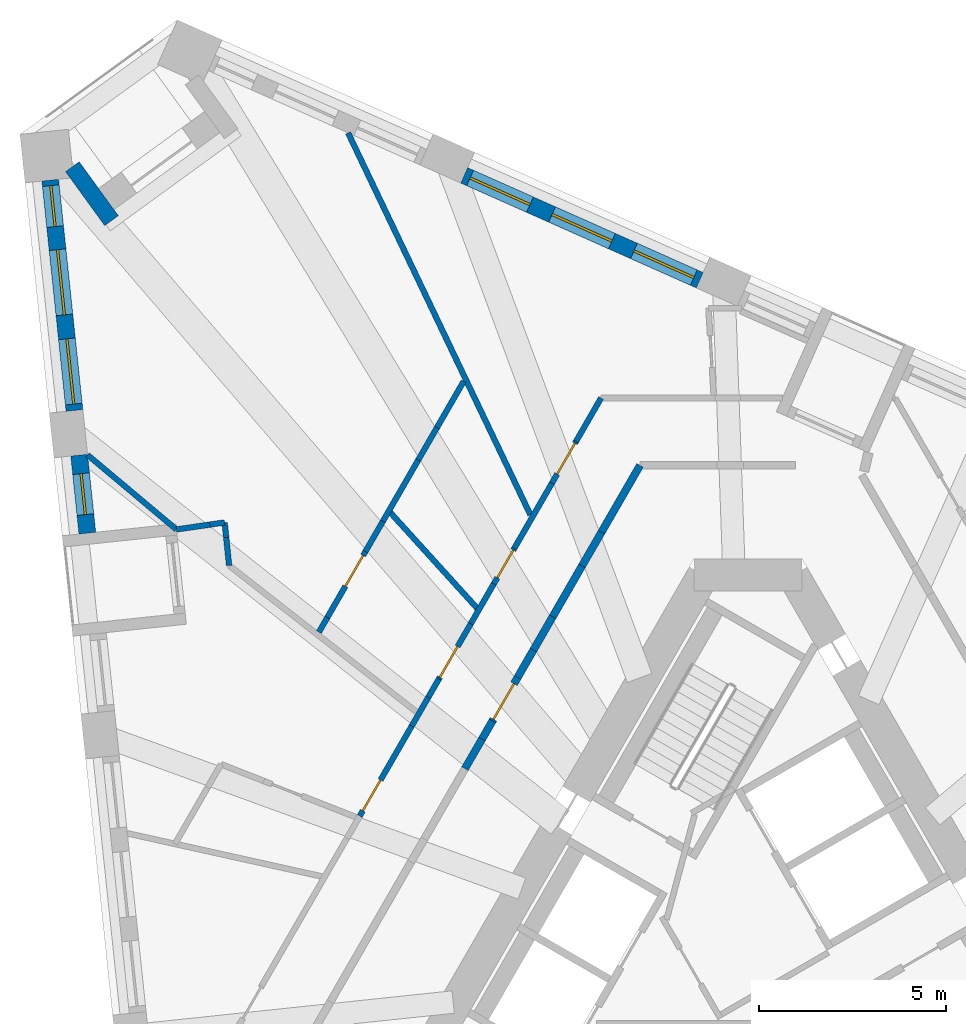
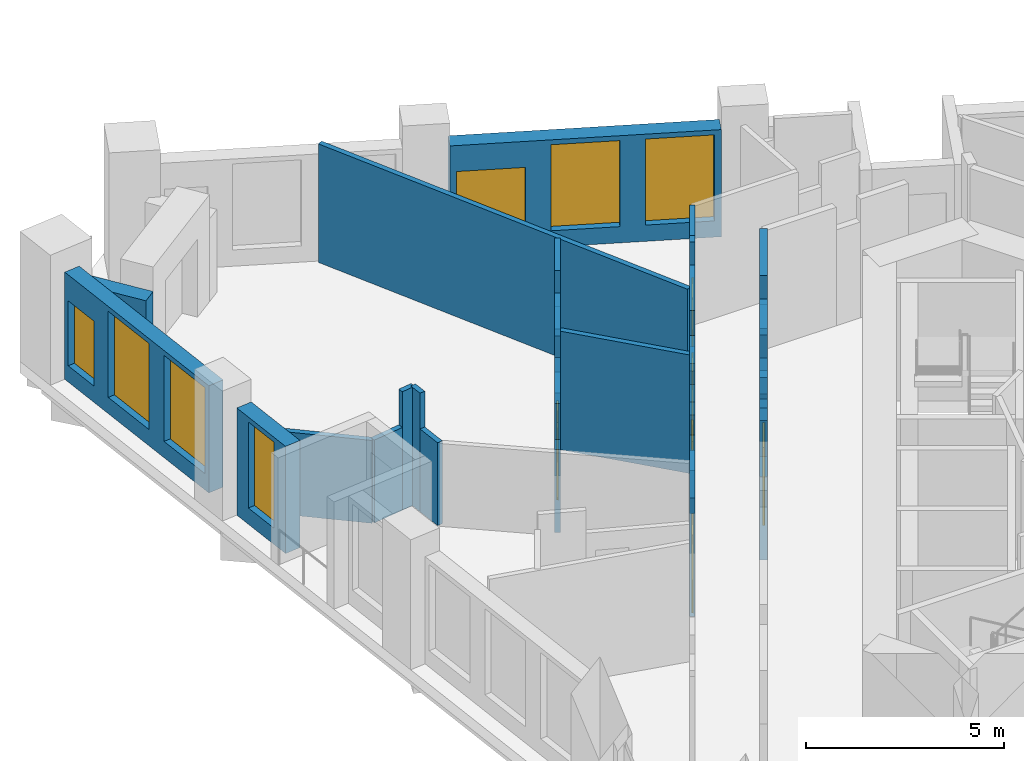
# One storey, part 7 of 14: 34 walls, 7 windows, 6 doors, 13 openings.
"""IFC4 building model written with IfcOpenShell, lengths in metres."""

from ifc_helpers import new_model, si_unit, direction, frame, frame_2d, origin, place, context, subcontext, project, spatial, polyline, rectangle, outline, extrude, material, layer, layer_set, type_object, element, fill, save


model = new_model("IFC4")

# Units and contexts
model_context = context("Model", 3, precision=1e-05, world=origin(), true_north=direction((0.0, 1.0)))
body_context = subcontext(model_context, "Body", "Model", "MODEL_VIEW")
ifc_project = project(units=[si_unit("LENGTHUNIT", "METRE"), si_unit("AREAUNIT", "SQUARE_METRE"), si_unit("VOLUMEUNIT", "CUBIC_METRE"), si_unit("PLANEANGLEUNIT", "RADIAN"), si_unit("MASSUNIT", "GRAM", prefix="KILO")], contexts=[model_context])

# Site, building, storey
site_placement = place(None, origin())
site = spatial("IfcSite", under=ifc_project, at=site_placement, CompositionType="ELEMENT")
building_placement = place(site_placement, origin())
building = spatial("IfcBuilding", under=site, at=building_placement, Name="Tramontana Tower", CompositionType="ELEMENT")
storey_placement = place(building_placement, frame((0.0, 0.0, 178.800048828125)))
storey = spatial("IfcBuildingStorey", under=building, at=storey_placement, Name="L41", CompositionType="ELEMENT", Elevation=178.800048828125)

# Walls
ifc_material_1 = material(Name="Blockwork", Category="masonry")
ifc_layer_1 = layer(ifc_material_1, 0.199951171875)
ifc_layer_set_1 = layer_set([ifc_layer_1], Name="ENTRY WALL 200")
wall_type_1 = type_object("IfcWallType", Name="ENTRY WALL 200", PredefinedType="SOLIDWALL", material=ifc_layer_set_1)
wall_1_placement = place(storey_placement, frame((-7.561279296875, 5.403564453125, 0.0), z_axis=(0.0, 0.0, 1.0), x_axis=(0.499977996243, 0.866038107287, 0.0)))
element("IfcWall", 1, at=wall_1_placement, inside=storey, type_object=wall_type_1, Name="Wall v41-ew4-5", PredefinedType="SOLIDWALL", context=body_context, shape_type="SweptSolid", body=[
    extrude(rectangle(XDim=0.90966796875, YDim=0.199951171875, at=frame_2d((0.454833984375, 0.0))), origin(), (0.0, 0.0, 1.0), 2.550048828125),
])
wall_2_placement = place(storey_placement, frame((-7.1064453125, 6.19140625, 0.0), z_axis=(0.0, 0.0, 1.0), x_axis=(0.499986818241, 0.866033014143, 0.0)))
element("IfcWall", 2, at=wall_2_placement, inside=storey, type_object=wall_type_1, Name="Wall v41-ew4-6", PredefinedType="SOLIDWALL", context=body_context, shape_type="SweptSolid", body=[
    extrude(rectangle(XDim=0.5595703125, YDim=0.199951171875, at=frame_2d((0.27978515625, 0.0))), origin(), (0.0, 0.0, 1.0), 3.64990234375),
])

# Wall, opening, door
wall_3_placement = place(storey_placement, frame((-6.82666015625, 6.676025390625, 0.0), z_axis=(0.0, 0.0, 1.0), x_axis=(0.500062873969, 0.865989100438, 0.0)))
wall_3 = element("IfcWall", 3, at=wall_3_placement, inside=storey, type_object=wall_type_1, Name="Wall v41-ew4-7", PredefinedType="SOLIDWALL", context=body_context, shape_type="SweptSolid", body=[
    extrude(outline(polyline([(0.0, 0.0), (1.344970703125, 0.0), (1.344970703125, 2.550048828125), (0.391357421875, 2.550048828125), (0.391357421875, 3.64990234375), (0.0, 3.64990234375), (0.0, 0.0)])), frame((0.0, 0.10009765625, 0.0), z_axis=(0.0, -1.0, 0.0), x_axis=(1.0, 0.0, 0.0)), (0.0, 0.0, 1.0), 0.199951171875),
])
opening_1_placement = place(wall_3_placement, frame((0.050048828125, 0.0, 0.0)))
opening_1 = element("IfcOpeningElement", 4, at=opening_1_placement, cuts=wall_3, Name="Opening B4B-24", PredefinedType="OPENING", context=body_context, shape_type="SweptSolid", body=[
    extrude(rectangle(XDim=1.10009765625, YDim=2.39990234375, at=frame_2d((0.550048828125, 1.199951171875))), frame((0.0, 0.10986328125, 0.0), z_axis=(0.0, -1.0, 0.0), x_axis=(1.0, 0.0, 0.0)), (0.0, 0.0, 1.0), 0.219970703125),
])
ifc_material_2 = material(Name="Painted timber", Category="wood")
door_type_1 = type_object("IfcDoorType", Name="DOOR ENTRY 1100", OperationType="SINGLE_SWING_LEFT", PredefinedType="DOOR", material=ifc_material_2)
door_1_placement = place(opening_1_placement, origin())
door_1 = element("IfcDoor", 5, at=door_1_placement, inside=storey, type_object=door_type_1, Name="Door B4B-24", OperationType="SINGLE_SWING_RIGHT", OverallHeight=2.39990234375, OverallWidth=1.10009765625, PredefinedType="DOOR", context=body_context, shape_type="SweptSolid", body=[
    extrude(rectangle(XDim=1.10009765625, YDim=2.39990234375, at=frame_2d((0.550048828125, 1.199951171875))), frame((0.0, 0.02490234375, 0.0), z_axis=(0.0, -1.0, 0.0), x_axis=(1.0, 0.0, 0.0)), (0.0, 0.0, 1.0), 0.050048828125),
])
fill(opening_1, door_1)

# Walls
wall_4_placement = place(storey_placement, frame((-6.154052734375, 7.8408203125, 0.0), z_axis=(0.0, 0.0, 1.0), x_axis=(0.499822960955, 0.8661275932, 0.0)))
element("IfcWall", 6, at=wall_4_placement, inside=storey, type_object=wall_type_1, Name="Wall v41-ew4-8", PredefinedType="SOLIDWALL", context=body_context, shape_type="SweptSolid", body=[
    extrude(rectangle(XDim=0.841064453125, YDim=0.199951171875, at=frame_2d((0.42041015625, 0.0))), origin(), (0.0, 0.0, 1.0), 3.64990234375),
])
wall_5_placement = place(storey_placement, frame((-5.733642578125, 8.5693359375, 0.0), z_axis=(0.0, 0.0, 1.0), x_axis=(0.500079402778, 0.865979555715, 0.0)))
element("IfcWall", 7, at=wall_5_placement, inside=storey, type_object=wall_type_1, Name="Wall v41-ew4-9", PredefinedType="SOLIDWALL", context=body_context, shape_type="SweptSolid", body=[
    extrude(rectangle(XDim=1.026123046875, YDim=0.199951171875, at=frame_2d((0.51318359375, 0.0))), origin(), (0.0, 0.0, 1.0), 2.550048828125),
])
wall_6_placement = place(storey_placement, frame((-5.220458984375, 9.4580078125, 0.0), z_axis=(0.0, 0.0, 1.0), x_axis=(0.500031717574, 0.86600709086, 0.0)))
element("IfcWall", 8, at=wall_6_placement, inside=storey, type_object=wall_type_1, Name="Wall v41-ew4-10", PredefinedType="SOLIDWALL", context=body_context, shape_type="SweptSolid", body=[
    extrude(rectangle(XDim=1.57177734375, YDim=0.199951171875, at=frame_2d((0.785888671875, 0.0))), origin(), (0.0, 0.0, 1.0), 3.64990234375),
])
wall_7_placement = place(storey_placement, frame((-4.4345703125, 10.819091796875, 0.0), z_axis=(0.0, 0.0, 1.0), x_axis=(0.500054530113, 0.86599391852, 0.0)))
element("IfcWall", 9, at=wall_7_placement, inside=storey, type_object=wall_type_1, Name="Wall v41-ew4-11", PredefinedType="SOLIDWALL", context=body_context, shape_type="SweptSolid", body=[
    extrude(rectangle(XDim=1.03955078125, YDim=0.199951171875, at=frame_2d((0.519775390625, 0.0))), origin(), (0.0, 0.0, 1.0), 2.75),
])
wall_8_placement = place(storey_placement, frame((-3.914794921875, 11.71923828125, 0.0), z_axis=(0.0, 0.0, 1.0), x_axis=(0.499982825521, 0.866035319247, 0.0)))
element("IfcWall", 10, at=wall_8_placement, inside=storey, type_object=wall_type_1, Name="Wall v41-ew4-12", PredefinedType="SOLIDWALL", context=body_context, shape_type="SweptSolid", body=[
    extrude(rectangle(XDim=2.05615234375, YDim=0.199951171875, at=frame_2d((1.028076171875, 0.0))), origin(), (0.0, 0.0, 1.0), 3.64990234375),
])

# Wall, openings, windows
ifc_material_3 = material(Name="Precast concrete 60 MPa", Category="concrete")
ifc_layer_2 = layer(ifc_material_3, 0.449951171875)
ifc_layer_set_2 = layer_set([ifc_layer_2], Name="Precast concrete 60 MPa, 450 mm")
wall_type_2 = type_object("IfcWallType", Name="EW1 Stone-faced precast wall 450", PredefinedType="SOLIDWALL", material=ifc_layer_set_2)
wall_9_placement = place(storey_placement, frame((-18.63427734375, 21.116455078125, 0.0), z_axis=(0.0, 0.0, 1.0), x_axis=(0.104522399115, -0.994522532718, 0.0)))
wall_9 = element("IfcWall", 11, at=wall_9_placement, inside=storey, type_object=wall_type_2, Name="External wall L41 face 0 bay 1", PredefinedType="SOLIDWALL", context=body_context, shape_type="SweptSolid", body=[
    extrude(rectangle(XDim=6.182861328125, YDim=0.449951171875, at=frame_2d((3.09130859375, 0.0))), origin(), (0.0, 0.0, 1.0), 3.300048828125),
])
opening_2_placement = place(wall_9_placement, frame((0.147216796875, 0.0, 0.5)))
opening_2 = element("IfcOpeningElement", 12, at=opening_2_placement, cuts=wall_9, Name="Opening N2L", PredefinedType="OPENING", context=body_context, shape_type="SweptSolid", body=[
    extrude(rectangle(XDim=1.10009765625, YDim=2.0, at=frame_2d((0.550048828125, 1.0))), frame((0.0, 0.23486328125, 0.0), z_axis=(0.0, -1.0, 0.0), x_axis=(1.0, 0.0, 0.0)), (0.0, 0.0, 1.0), 0.469970703125),
])
opening_3_placement = place(wall_9_placement, frame((1.866455078125, 0.0, 0.5)))
opening_3 = element("IfcOpeningElement", 13, at=opening_3_placement, cuts=wall_9, Name="Opening M2", PredefinedType="OPENING", context=body_context, shape_type="SweptSolid", body=[
    extrude(rectangle(XDim=1.75, YDim=2.64990234375, at=frame_2d((0.875, 1.324951171875))), frame((0.0, 0.23486328125, 0.0), z_axis=(0.0, -1.0, 0.0), x_axis=(1.0, 0.0, 0.0)), (0.0, 0.0, 1.0), 0.469970703125),
])
opening_4_placement = place(wall_9_placement, frame((4.2607421875, 0.0, 0.5)))
opening_4 = element("IfcOpeningElement", 14, at=opening_4_placement, cuts=wall_9, Name="Opening M2", PredefinedType="OPENING", context=body_context, shape_type="SweptSolid", body=[
    extrude(rectangle(XDim=1.75, YDim=2.64990234375, at=frame_2d((0.875, 1.324951171875))), frame((0.0, 0.23486328125, 0.0), z_axis=(0.0, -1.0, 0.0), x_axis=(1.0, 0.0, 0.0)), (0.0, 0.0, 1.0), 0.469970703125),
])
ifc_material_4 = material(Name="Aluminum frame, double glazing unit", Category="aluminium")
window_type_1 = type_object("IfcWindowType", Name="M2 Window 1.75 x 2.65", PartitioningType="SINGLE_PANEL", PredefinedType="WINDOW", material=ifc_material_4)
window_1_placement = place(opening_3_placement, origin())
window_1 = element("IfcWindow", 15, at=window_1_placement, inside=storey, type_object=window_type_1, Name="Window M2 L41 face 0 module 2", OverallHeight=2.64990234375, OverallWidth=1.75, PartitioningType="SINGLE_PANEL", PredefinedType="WINDOW", context=body_context, shape_type="SweptSolid", body=[
    extrude(rectangle(XDim=1.75, YDim=2.64990234375, at=frame_2d((0.875, 1.324951171875))), frame((0.0, 0.030029296875, 0.0), z_axis=(0.0, -1.0, 0.0), x_axis=(1.0, 0.0, 0.0)), (0.0, 0.0, 1.0), 0.06005859375),
])
fill(opening_3, window_1)
window_2_placement = place(opening_4_placement, origin())
window_2 = element("IfcWindow", 16, at=window_2_placement, inside=storey, type_object=window_type_1, Name="Window M2 L41 face 0 module 3", OverallHeight=2.64990234375, OverallWidth=1.75, PartitioningType="SINGLE_PANEL", PredefinedType="WINDOW", context=body_context, shape_type="SweptSolid", body=[
    extrude(rectangle(XDim=1.75, YDim=2.64990234375, at=frame_2d((0.875, 1.324951171875))), frame((0.0, 0.030029296875, 0.0), z_axis=(0.0, -1.0, 0.0), x_axis=(1.0, 0.0, 0.0)), (0.0, 0.0, 1.0), 0.06005859375),
])
fill(opening_4, window_2)
ifc_material_5 = material(Name="Aluminum frame, double glazing unit", Category="aluminium")
window_type_2 = type_object("IfcWindowType", Name="N2L Window 1.1 x 2", PartitioningType="SINGLE_PANEL", PredefinedType="WINDOW", material=ifc_material_5)
window_3_placement = place(opening_2_placement, origin())
window_3 = element("IfcWindow", 17, at=window_3_placement, inside=storey, type_object=window_type_2, Name="Window N2L L41 face 0 module 1", OverallHeight=2.0, OverallWidth=1.10009765625, PartitioningType="SINGLE_PANEL", PredefinedType="WINDOW", context=body_context, shape_type="SweptSolid", body=[
    extrude(rectangle(XDim=1.10009765625, YDim=2.0, at=frame_2d((0.550048828125, 1.0))), frame((0.0, 0.030029296875, 0.0), z_axis=(0.0, -1.0, 0.0), x_axis=(1.0, 0.0, 0.0)), (0.0, 0.0, 1.0), 0.06005859375),
])
fill(opening_2, window_3)

# Wall, opening, window
wall_10_placement = place(storey_placement, frame((-17.862548828125, 13.774169921875, 0.0), z_axis=(0.0, 0.0, 1.0), x_axis=(0.104442071108, -0.994530971756, 0.0)))
wall_10 = element("IfcWall", 18, at=wall_10_placement, inside=storey, type_object=wall_type_2, Name="External wall L41 face 0 bay 2", PredefinedType="SOLIDWALL", context=body_context, shape_type="SweptSolid", body=[
    extrude(rectangle(XDim=2.094482421875, YDim=0.449951171875, at=frame_2d((1.04736328125, 0.0))), origin(), (0.0, 0.0, 1.0), 3.300048828125),
])
opening_5_placement = place(wall_10_placement, frame((0.4970703125, 0.0, 0.5)))
opening_5 = element("IfcOpeningElement", 19, at=opening_5_placement, cuts=wall_10, Name="Opening N2", PredefinedType="OPENING", context=body_context, shape_type="SweptSolid", body=[
    extrude(rectangle(XDim=1.10009765625, YDim=2.64990234375, at=frame_2d((0.550048828125, 1.324951171875))), frame((0.0, 0.23486328125, 0.0), z_axis=(0.0, -1.0, 0.0), x_axis=(1.0, 0.0, 0.0)), (0.0, 0.0, 1.0), 0.469970703125),
])
ifc_material_6 = material(Name="Aluminum frame, double glazing unit", Category="aluminium")
window_type_3 = type_object("IfcWindowType", Name="N2 Window 1.1 x 2.65", PartitioningType="SINGLE_PANEL", PredefinedType="WINDOW", material=ifc_material_6)
window_4_placement = place(opening_5_placement, origin())
window_4 = element("IfcWindow", 20, at=window_4_placement, inside=storey, type_object=window_type_3, Name="Window N2 L41 face 0 module 4", OverallHeight=2.64990234375, OverallWidth=1.10009765625, PartitioningType="SINGLE_PANEL", PredefinedType="WINDOW", context=body_context, shape_type="SweptSolid", body=[
    extrude(rectangle(XDim=1.10009765625, YDim=2.64990234375, at=frame_2d((0.550048828125, 1.324951171875))), frame((0.0, 0.030029296875, 0.0), z_axis=(0.0, -1.0, 0.0), x_axis=(1.0, 0.0, 0.0)), (0.0, 0.0, 1.0), 0.06005859375),
])
fill(opening_5, window_4)

# Wall, openings, windows
wall_11_placement = place(storey_placement, frame((-1.292236328125, 18.4453125, 0.0), z_axis=(0.0, 0.0, 1.0), x_axis=(-0.913543675585, 0.40674064562, 0.0)))
wall_11 = element("IfcWall", 21, at=wall_11_placement, inside=storey, type_object=wall_type_2, Name="External wall L41 face 2 bay 5", PredefinedType="SOLIDWALL", context=body_context, shape_type="SweptSolid", body=[
    extrude(rectangle(XDim=6.8828125, YDim=0.449951171875, at=frame_2d((3.44140625, 0.0))), origin(), (0.0, 0.0, 1.0), 3.300048828125),
])
opening_6_placement = place(wall_11_placement, frame((0.172119140625, 0.0, 0.5)))
opening_6 = element("IfcOpeningElement", 22, at=opening_6_placement, cuts=wall_11, Name="Opening M2", PredefinedType="OPENING", context=body_context, shape_type="SweptSolid", body=[
    extrude(rectangle(XDim=1.75, YDim=2.64990234375, at=frame_2d((0.875, 1.324951171875))), frame((0.0, 0.23486328125, 0.0), z_axis=(0.0, -1.0, 0.0), x_axis=(1.0, 0.0, 0.0)), (0.0, 0.0, 1.0), 0.469970703125),
])
opening_7_placement = place(wall_11_placement, frame((2.56640625, 0.0, 0.5)))
opening_7 = element("IfcOpeningElement", 23, at=opening_7_placement, cuts=wall_11, Name="Opening M2", PredefinedType="OPENING", context=body_context, shape_type="SweptSolid", body=[
    extrude(rectangle(XDim=1.75, YDim=2.64990234375, at=frame_2d((0.875, 1.324951171875))), frame((0.0, 0.23486328125, 0.0), z_axis=(0.0, -1.0, 0.0), x_axis=(1.0, 0.0, 0.0)), (0.0, 0.0, 1.0), 0.469970703125),
])
opening_8_placement = place(wall_11_placement, frame((4.960693359375, 0.0, 0.5)))
opening_8 = element("IfcOpeningElement", 24, at=opening_8_placement, cuts=wall_11, Name="Opening M2L", PredefinedType="OPENING", context=body_context, shape_type="SweptSolid", body=[
    extrude(rectangle(XDim=1.75, YDim=2.0, at=frame_2d((0.875, 1.0))), frame((0.0, 0.23486328125, 0.0), z_axis=(0.0, -1.0, 0.0), x_axis=(1.0, 0.0, 0.0)), (0.0, 0.0, 1.0), 0.469970703125),
])
window_5_placement = place(opening_6_placement, origin())
window_5 = element("IfcWindow", 25, at=window_5_placement, inside=storey, type_object=window_type_1, Name="Window M2 L41 face 2 module 13", OverallHeight=2.64990234375, OverallWidth=1.75, PartitioningType="SINGLE_PANEL", PredefinedType="WINDOW", context=body_context, shape_type="SweptSolid", body=[
    extrude(rectangle(XDim=1.75, YDim=2.64990234375, at=frame_2d((0.875, 1.324951171875))), frame((0.0, 0.030029296875, 0.0), z_axis=(0.0, -1.0, 0.0), x_axis=(1.0, 0.0, 0.0)), (0.0, 0.0, 1.0), 0.06005859375),
])
fill(opening_6, window_5)
window_6_placement = place(opening_7_placement, origin())
window_6 = element("IfcWindow", 26, at=window_6_placement, inside=storey, type_object=window_type_1, Name="Window M2 L41 face 2 module 14", OverallHeight=2.64990234375, OverallWidth=1.75, PartitioningType="SINGLE_PANEL", PredefinedType="WINDOW", context=body_context, shape_type="SweptSolid", body=[
    extrude(rectangle(XDim=1.75, YDim=2.64990234375, at=frame_2d((0.875, 1.324951171875))), frame((0.0, 0.030029296875, 0.0), z_axis=(0.0, -1.0, 0.0), x_axis=(1.0, 0.0, 0.0)), (0.0, 0.0, 1.0), 0.06005859375),
])
fill(opening_7, window_6)
ifc_material_7 = material(Name="Aluminum frame, double glazing unit", Category="aluminium")
window_type_4 = type_object("IfcWindowType", Name="M2L Window 1.75 x 2", PartitioningType="SINGLE_PANEL", PredefinedType="WINDOW", material=ifc_material_7)
window_7_placement = place(opening_8_placement, origin())
window_7 = element("IfcWindow", 27, at=window_7_placement, inside=storey, type_object=window_type_4, Name="Window M2L L41 face 2 module 15", OverallHeight=2.0, OverallWidth=1.75, PartitioningType="SINGLE_PANEL", PredefinedType="WINDOW", context=body_context, shape_type="SweptSolid", body=[
    extrude(rectangle(XDim=1.75, YDim=2.0, at=frame_2d((0.875, 1.0))), frame((0.0, 0.030029296875, 0.0), z_axis=(0.0, -1.0, 0.0), x_axis=(1.0, 0.0, 0.0)), (0.0, 0.0, 1.0), 0.06005859375),
])
fill(opening_8, window_7)

# Walls
wall_12_placement = place(storey_placement, frame((-18.04345703125, 21.474853515625, 0.0), z_axis=(0.0, 0.0, 1.0), x_axis=(0.587722853316, -0.809062326209, 0.0)))
element("IfcWall", 28, at=wall_12_placement, inside=storey, type_object=wall_type_2, Name="Corner loggia side wall L41 K40l", PredefinedType="SOLIDWALL", context=body_context, shape_type="SweptSolid", body=[
    extrude(rectangle(XDim=1.779052734375, YDim=0.449951171875, at=frame_2d((0.8896484375, 0.0))), origin(), (0.0, 0.0, 1.0), 2.550048828125),
])
ifc_material_8 = material(Name="Gypsum board partition")
ifc_layer_3 = layer(ifc_material_8, 0.14990234375)
ifc_layer_set_3 = layer_set([ifc_layer_3], Name="PARTITION 150")
wall_type_3 = type_object("IfcWallType", Name="PARTITION 150", PredefinedType="PARTITIONING", material=ifc_layer_set_3)
wall_13_placement = place(storey_placement, frame((-15.26611328125, 11.790283203125, 0.0), z_axis=(0.0, 0.0, 1.0), x_axis=(-0.766063729465, 0.642764624414, 0.0)))
element("IfcWall", 29, at=wall_13_placement, inside=storey, type_object=wall_type_3, Name="Wall v41-pw01-0", PredefinedType="PARTITIONING", context=body_context, shape_type="SweptSolid", body=[
    extrude(rectangle(XDim=3.0947265625, YDim=0.14990234375, at=frame_2d((1.54736328125, 0.0))), origin(), (0.0, 0.0, 1.0), 2.550048828125),
])

# Wall, opening, door
wall_14_placement = place(storey_placement, frame((-10.369384765625, 4.1396484375, 0.0), z_axis=(0.0, 0.0, 1.0), x_axis=(0.50000932403, 0.866020020486, 0.0)))
wall_14 = element("IfcWall", 30, at=wall_14_placement, inside=storey, type_object=wall_type_3, Name="Wall v41-pw02-4", PredefinedType="PARTITIONING", context=body_context, shape_type="SweptSolid", body=[
    extrude(rectangle(XDim=2.77490234375, YDim=0.14990234375, at=frame_2d((1.387451171875, 0.0))), origin(), (0.0, 0.0, 1.0), 3.64990234375),
])
opening_9_placement = place(wall_14_placement, frame((0.15966796875, 0.0, 0.0)))
opening_9 = element("IfcOpeningElement", 31, at=opening_9_placement, cuts=wall_14, Name="Opening B4B-04", PredefinedType="OPENING", context=body_context, shape_type="SweptSolid", body=[
    extrude(rectangle(XDim=0.949951171875, YDim=2.39990234375, at=frame_2d((0.47509765625, 1.199951171875))), frame((0.0, 0.0849609375, 0.0), z_axis=(0.0, -1.0, 0.0), x_axis=(1.0, 0.0, 0.0)), (0.0, 0.0, 1.0), 0.169921875),
])
ifc_material_9 = material(Name="Painted timber", Category="wood")
door_type_2 = type_object("IfcDoorType", Name="DOOR ROOM 950", OperationType="SINGLE_SWING_LEFT", PredefinedType="DOOR", material=ifc_material_9)
door_2_placement = place(opening_9_placement, origin())
door_2 = element("IfcDoor", 32, at=door_2_placement, inside=storey, type_object=door_type_2, Name="Door B4B-04", OperationType="SINGLE_SWING_RIGHT", OverallHeight=2.39990234375, OverallWidth=0.949951171875, PredefinedType="DOOR", context=body_context, shape_type="SweptSolid", body=[
    extrude(rectangle(XDim=0.949951171875, YDim=2.39990234375, at=frame_2d((0.47509765625, 1.199951171875))), frame((0.0, 0.02490234375, 0.0), z_axis=(0.0, -1.0, 0.0), x_axis=(1.0, 0.0, 0.0)), (0.0, 0.0, 1.0), 0.050048828125),
])
fill(opening_9, door_2)

# Walls
wall_15_placement = place(storey_placement, frame((-8.98193359375, 6.542724609375, 0.0), z_axis=(0.0, 0.0, 1.0), x_axis=(0.499969398072, 0.866043071095, 0.0)))
element("IfcWall", 33, at=wall_15_placement, inside=storey, type_object=wall_type_3, Name="Wall v41-pw02-5", PredefinedType="PARTITIONING", context=body_context, shape_type="SweptSolid", body=[
    extrude(rectangle(XDim=0.88427734375, YDim=0.14990234375, at=frame_2d((0.442138671875, 0.0))), origin(), (0.0, 0.0, 1.0), 2.550048828125),
])
wall_16_placement = place(storey_placement, frame((-8.539794921875, 7.30859375, 0.0), z_axis=(0.0, 0.0, 1.0), x_axis=(0.500069835465, 0.865985080505, 0.0)))
element("IfcWall", 34, at=wall_16_placement, inside=storey, type_object=wall_type_3, Name="Wall v41-pw02-6", PredefinedType="PARTITIONING", context=body_context, shape_type="SweptSolid", body=[
    extrude(rectangle(XDim=0.56787109375, YDim=0.14990234375, at=frame_2d((0.283935546875, 0.0))), origin(), (0.0, 0.0, 1.0), 3.64990234375),
])

# Wall, opening, door
wall_17_placement = place(storey_placement, frame((-8.255859375, 7.80029296875, 0.0), z_axis=(0.0, 0.0, 1.0), x_axis=(0.499933497514, 0.866063795608, 0.0)))
wall_17 = element("IfcWall", 35, at=wall_17_placement, inside=storey, type_object=wall_type_3, Name="Wall v41-pw02-7", PredefinedType="PARTITIONING", context=body_context, shape_type="SweptSolid", body=[
    extrude(outline(polyline([(0.0, 0.0), (1.702392578125, 0.0), (1.70263671875, 2.550048828125), (0.775634765625, 2.550048828125), (0.775634765625, 3.64990234375), (0.0, 3.64990234375), (0.0, 0.0)])), frame((0.0, 0.074951171875, 0.0), z_axis=(0.0, -1.0, 0.0), x_axis=(1.0, 0.0, 0.0)), (0.0, 0.0, 1.0), 0.14990234375),
])
opening_10_placement = place(wall_17_placement, frame((0.050048828125, 0.0, 0.0)))
opening_10 = element("IfcOpeningElement", 36, at=opening_10_placement, cuts=wall_17, Name="Opening B4B-01", PredefinedType="OPENING", context=body_context, shape_type="SweptSolid", body=[
    extrude(rectangle(XDim=0.949951171875, YDim=2.39990234375, at=frame_2d((0.47509765625, 1.199951171875))), frame((0.0, 0.0849609375, 0.0), z_axis=(0.0, -1.0, 0.0), x_axis=(1.0, 0.0, 0.0)), (0.0, 0.0, 1.0), 0.169921875),
])
door_3_placement = place(opening_10_placement, origin())
door_3 = element("IfcDoor", 37, at=door_3_placement, inside=storey, type_object=door_type_2, Name="Door B4B-01", OperationType="SINGLE_SWING_LEFT", OverallHeight=2.39990234375, OverallWidth=0.949951171875, PredefinedType="DOOR", context=body_context, shape_type="SweptSolid", body=[
    extrude(rectangle(XDim=0.949951171875, YDim=2.39990234375, at=frame_2d((0.47509765625, 1.199951171875))), frame((0.0, 0.02490234375, 0.0), z_axis=(0.0, -1.0, 0.0), x_axis=(1.0, 0.0, 0.0)), (0.0, 0.0, 1.0), 0.050048828125),
])
fill(opening_10, door_3)

# Wall
wall_18_placement = place(storey_placement, frame((-7.40478515625, 9.274658203125, 0.0), z_axis=(0.0, 0.0, 1.0), x_axis=(0.500061746146, 0.865989751695, 0.0)))
element("IfcWall", 38, at=wall_18_placement, inside=storey, type_object=wall_type_3, Name="Wall v41-pw02-8", PredefinedType="PARTITIONING", context=body_context, shape_type="SweptSolid", body=[
    extrude(rectangle(XDim=1.224853515625, YDim=0.14990234375, at=frame_2d((0.6123046875, 0.0))), origin(), (0.0, 0.0, 1.0), 3.64990234375),
])

# Wall, opening, door
wall_19_placement = place(storey_placement, frame((-6.792236328125, 10.33544921875, 0.0), z_axis=(0.0, 0.0, 1.0), x_axis=(0.500031897912, 0.866006986733, 0.0)))
wall_19 = element("IfcWall", 39, at=wall_19_placement, inside=storey, type_object=wall_type_3, Name="Wall v41-pw02-9", PredefinedType="PARTITIONING", context=body_context, shape_type="SweptSolid", body=[
    extrude(rectangle(XDim=1.0927734375, YDim=0.14990234375, at=frame_2d((0.54638671875, 0.0))), origin(), (0.0, 0.0, 1.0), 2.550048828125),
])
opening_11_placement = place(wall_19_placement, frame((0.192626953125, 0.0, 0.0)))
opening_11 = element("IfcOpeningElement", 40, at=opening_11_placement, cuts=wall_19, Name="Opening B4B-02", PredefinedType="OPENING", context=body_context, shape_type="SweptSolid", body=[
    extrude(rectangle(XDim=0.85009765625, YDim=2.39990234375, at=frame_2d((0.425048828125, 1.199951171875))), frame((0.0, 0.0849609375, 0.0), z_axis=(0.0, -1.0, 0.0), x_axis=(1.0, 0.0, 0.0)), (0.0, 0.0, 1.0), 0.169921875),
])
ifc_material_10 = material(Name="Painted timber", Category="wood")
door_type_3 = type_object("IfcDoorType", Name="DOOR BATH 850", OperationType="SINGLE_SWING_LEFT", PredefinedType="DOOR", material=ifc_material_10)
door_4_placement = place(opening_11_placement, origin())
door_4 = element("IfcDoor", 41, at=door_4_placement, inside=storey, type_object=door_type_3, Name="Door B4B-02", OperationType="SINGLE_SWING_RIGHT", OverallHeight=2.39990234375, OverallWidth=0.85009765625, PredefinedType="DOOR", context=body_context, shape_type="SweptSolid", body=[
    extrude(rectangle(XDim=0.85009765625, YDim=2.39990234375, at=frame_2d((0.425048828125, 1.199951171875))), frame((0.0, 0.02490234375, 0.0), z_axis=(0.0, -1.0, 0.0), x_axis=(1.0, 0.0, 0.0)), (0.0, 0.0, 1.0), 0.050048828125),
])
fill(opening_11, door_4)

# Wall
wall_20_placement = place(storey_placement, frame((-6.245849609375, 11.28173828125, 0.0), z_axis=(0.0, 0.0, 1.0), x_axis=(0.499984757355, 0.866034203951, 0.0)))
element("IfcWall", 42, at=wall_20_placement, inside=storey, type_object=wall_type_3, Name="Wall v41-pw02-10", PredefinedType="PARTITIONING", context=body_context, shape_type="SweptSolid", body=[
    extrude(rectangle(XDim=2.01416015625, YDim=0.14990234375, at=frame_2d((1.007080078125, 0.0))), origin(), (0.0, 0.0, 1.0), 3.64990234375),
])

# Wall, opening, door
wall_21_placement = place(storey_placement, frame((-5.23876953125, 13.026123046875, 0.0), z_axis=(0.0, 0.0, 1.0), x_axis=(0.500013971981, 0.866017336907, 0.0)))
wall_21 = element("IfcWall", 43, at=wall_21_placement, inside=storey, type_object=wall_type_3, Name="Wall v41-pw02-11", PredefinedType="PARTITIONING", context=body_context, shape_type="SweptSolid", body=[
    extrude(outline(polyline([(0.0, 0.0), (1.28076171875, 0.0), (1.28076171875, 3.64990234375), (1.0068359375, 3.64990234375), (1.0068359375, 2.75), (0.0, 2.75), (0.0, 0.0)])), frame((0.0, 0.074951171875, 0.0), z_axis=(0.0, -1.0, 0.0), x_axis=(1.0, 0.0, 0.0)), (0.0, 0.0, 1.0), 0.14990234375),
])
opening_12_placement = place(wall_21_placement, frame((0.28076171875, 0.0, 0.0)))
opening_12 = element("IfcOpeningElement", 44, at=opening_12_placement, cuts=wall_21, Name="Opening B4B-03", PredefinedType="OPENING", context=body_context, shape_type="SweptSolid", body=[
    extrude(rectangle(XDim=0.949951171875, YDim=2.39990234375, at=frame_2d((0.47509765625, 1.199951171875))), frame((0.0, 0.0849609375, 0.0), z_axis=(0.0, -1.0, 0.0), x_axis=(1.0, 0.0, 0.0)), (0.0, 0.0, 1.0), 0.169921875),
])
door_5_placement = place(opening_12_placement, origin())
door_5 = element("IfcDoor", 45, at=door_5_placement, inside=storey, type_object=door_type_2, Name="Door B4B-03", OperationType="SINGLE_SWING_LEFT", OverallHeight=2.39990234375, OverallWidth=0.949951171875, PredefinedType="DOOR", context=body_context, shape_type="SweptSolid", body=[
    extrude(rectangle(XDim=0.949951171875, YDim=2.39990234375, at=frame_2d((0.47509765625, 1.199951171875))), frame((0.0, 0.02490234375, 0.0), z_axis=(0.0, -1.0, 0.0), x_axis=(1.0, 0.0, 0.0)), (0.0, 0.0, 1.0), 0.050048828125),
])
fill(opening_12, door_5)

# Walls
wall_22_placement = place(storey_placement, frame((-4.598388671875, 14.13525390625, 0.0), z_axis=(0.0, 0.0, 1.0), x_axis=(0.500005339912, 0.866022320763, 0.0)))
element("IfcWall", 46, at=wall_22_placement, inside=storey, type_object=wall_type_3, Name="Wall v41-pw02-12", PredefinedType="PARTITIONING", context=body_context, shape_type="SweptSolid", body=[
    extrude(rectangle(XDim=1.3447265625, YDim=0.14990234375, at=frame_2d((0.67236328125, 0.0))), origin(), (0.0, 0.0, 1.0), 3.64990234375),
])
wall_23_placement = place(storey_placement, frame((-13.980224609375, 11.97607421875, 0.0), z_axis=(0.0, 0.0, 1.0), x_axis=(-0.989726419038, -0.142974177594, 0.0)))
element("IfcWall", 47, at=wall_23_placement, inside=storey, type_object=wall_type_3, Name="Wall v41-pw10-0", PredefinedType="PARTITIONING", context=body_context, shape_type="SweptSolid", body=[
    extrude(rectangle(XDim=0.396240234375, YDim=0.14990234375, at=frame_2d((0.1982421875, 0.0))), origin(), (0.0, 0.0, 1.0), 3.64990234375),
])
wall_24_placement = place(storey_placement, frame((-14.372314453125, 11.91943359375, 0.0), z_axis=(0.0, 0.0, 1.0), x_axis=(-0.989721130338, -0.143010783379, 0.0)))
element("IfcWall", 48, at=wall_24_placement, inside=storey, type_object=wall_type_3, Name="Wall v41-pw10-1", PredefinedType="PARTITIONING", context=body_context, shape_type="SweptSolid", body=[
    extrude(rectangle(XDim=0.903076171875, YDim=0.14990234375, at=frame_2d((0.45166015625, 0.0))), origin(), (0.0, 0.0, 1.0), 2.550048828125),
])
wall_25_placement = place(storey_placement, frame((-13.857421875, 10.82666015625, 0.0), z_axis=(0.0, 0.0, 1.0), x_axis=(-0.104549570968, 0.994519676633, 0.0)))
element("IfcWall", 49, at=wall_25_placement, inside=storey, type_object=wall_type_3, Name="Wall v41-pw11-0", PredefinedType="PARTITIONING", context=body_context, shape_type="SweptSolid", body=[
    extrude(rectangle(XDim=0.751953125, YDim=0.14990234375, at=frame_2d((0.3759765625, 0.0))), origin(), (0.0, 0.0, 1.0), 2.550048828125),
])
wall_26_placement = place(storey_placement, frame((-13.93603515625, 11.574462890625, 0.0), z_axis=(0.0, 0.0, 1.0), x_axis=(-0.104495033746, 0.994525408385, 0.0)))
element("IfcWall", 50, at=wall_26_placement, inside=storey, type_object=wall_type_3, Name="Wall v41-pw11-1", PredefinedType="PARTITIONING", context=body_context, shape_type="SweptSolid", body=[
    extrude(rectangle(XDim=0.40185546875, YDim=0.14990234375, at=frame_2d((0.200927734375, 0.0))), origin(), (0.0, 0.0, 1.0), 3.64990234375),
])
wall_27_placement = place(storey_placement, frame((-11.460693359375, 9.049560546875, 0.0), z_axis=(0.0, 0.0, 1.0), x_axis=(0.500160228243, 0.8659328762, 0.0)))
element("IfcWall", 51, at=wall_27_placement, inside=storey, type_object=wall_type_3, Name="Wall v41-pw15-0", PredefinedType="PARTITIONING", context=body_context, shape_type="SweptSolid", body=[
    extrude(rectangle(XDim=0.450439453125, YDim=0.14990234375, at=frame_2d((0.22509765625, 0.0))), origin(), (0.0, 0.0, 1.0), 2.550048828125),
])

# Wall, opening, door
wall_28_placement = place(storey_placement, frame((-11.2353515625, 9.439697265625, 0.0), z_axis=(0.0, 0.0, 1.0), x_axis=(0.500009753642, 0.866019772443, 0.0)))
wall_28 = element("IfcWall", 52, at=wall_28_placement, inside=storey, type_object=wall_type_3, Name="Wall v41-pw15-1", PredefinedType="PARTITIONING", context=body_context, shape_type="SweptSolid", body=[
    extrude(rectangle(XDim=2.03515625, YDim=0.14990234375, at=frame_2d((1.017578125, 0.0))), origin(), (0.0, 0.0, 1.0), 3.64990234375),
])
opening_13_placement = place(wall_28_placement, frame((0.962158203125, 0.0, 0.0)))
opening_13 = element("IfcOpeningElement", 53, at=opening_13_placement, cuts=wall_28, Name="Opening B4B-23", PredefinedType="OPENING", context=body_context, shape_type="SweptSolid", body=[
    extrude(rectangle(XDim=0.949951171875, YDim=2.39990234375, at=frame_2d((0.47509765625, 1.199951171875))), frame((0.0, 0.0849609375, 0.0), z_axis=(0.0, -1.0, 0.0), x_axis=(1.0, 0.0, 0.0)), (0.0, 0.0, 1.0), 0.169921875),
])
door_6_placement = place(opening_13_placement, origin())
door_6 = element("IfcDoor", 54, at=door_6_placement, inside=storey, type_object=door_type_2, Name="Door B4B-23", OperationType="SINGLE_SWING_LEFT", OverallHeight=2.39990234375, OverallWidth=0.949951171875, PredefinedType="DOOR", context=body_context, shape_type="SweptSolid", body=[
    extrude(rectangle(XDim=0.949951171875, YDim=2.39990234375, at=frame_2d((0.47509765625, 1.199951171875))), frame((0.0, 0.02490234375, 0.0), z_axis=(0.0, -1.0, 0.0), x_axis=(1.0, 0.0, 0.0)), (0.0, 0.0, 1.0), 0.050048828125),
])
fill(opening_13, door_6)

# Walls
wall_29_placement = place(storey_placement, frame((-10.2177734375, 11.2021484375, 0.0), z_axis=(0.0, 0.0, 1.0), x_axis=(0.499935264145, 0.866062775822, 0.0)))
element("IfcWall", 55, at=wall_29_placement, inside=storey, type_object=wall_type_3, Name="Wall v41-pw15-2", PredefinedType="PARTITIONING", context=body_context, shape_type="SweptSolid", body=[
    extrude(rectangle(XDim=0.9267578125, YDim=0.14990234375, at=frame_2d((0.46337890625, 0.0))), origin(), (0.0, 0.0, 1.0), 2.550048828125),
])
wall_30_placement = place(storey_placement, frame((-9.75439453125, 12.0048828125, 0.0), z_axis=(0.0, 0.0, 1.0), x_axis=(0.499971120268, 0.866042076863, 0.0)))
element("IfcWall", 56, at=wall_30_placement, inside=storey, type_object=wall_type_3, Name="Wall v41-pw15-3", PredefinedType="PARTITIONING", context=body_context, shape_type="SweptSolid", body=[
    extrude(rectangle(XDim=1.89794921875, YDim=0.14990234375, at=frame_2d((0.948974609375, 0.0))), origin(), (0.0, 0.0, 1.0), 3.64990234375),
])
wall_31_placement = place(storey_placement, frame((-8.805419921875, 13.648681640625, 0.0), z_axis=(0.0, 0.0, 1.0), x_axis=(0.499955472713, 0.866051110099, 0.0)))
element("IfcWall", 57, at=wall_31_placement, inside=storey, type_object=wall_type_3, Name="Wall v41-pw15-4", PredefinedType="PARTITIONING", context=body_context, shape_type="SweptSolid", body=[
    extrude(rectangle(XDim=0.99755859375, YDim=0.14990234375, at=frame_2d((0.498779296875, 0.0))), origin(), (0.0, 0.0, 1.0), 2.550048828125),
])
wall_32_placement = place(storey_placement, frame((-8.306640625, 14.5126953125, 0.0), z_axis=(0.0, 0.0, 1.0), x_axis=(0.500059846627, 0.865990848561, 0.0)))
element("IfcWall", 58, at=wall_32_placement, inside=storey, type_object=wall_type_3, Name="Wall v41-pw15-5", PredefinedType="PARTITIONING", context=body_context, shape_type="SweptSolid", body=[
    extrude(rectangle(XDim=1.419677734375, YDim=0.14990234375, at=frame_2d((0.7099609375, 0.0))), origin(), (0.0, 0.0, 1.0), 3.64990234375),
])
wall_33_placement = place(storey_placement, frame((-10.68115234375, 22.379150390625, 0.0), z_axis=(0.0, 0.0, 1.0), x_axis=(0.430745182643, -0.902473593868, 0.0)))
element("IfcWall", 59, at=wall_33_placement, inside=storey, type_object=wall_type_3, Name="Wall v41-pw18", PredefinedType="PARTITIONING", context=body_context, shape_type="SweptSolid", body=[
    extrude(rectangle(XDim=11.300537109375, YDim=0.14990234375, at=frame_2d((5.650390625, 0.0))), origin(), (0.0, 0.0, 1.0), 3.64990234375),
])
wall_34_placement = place(storey_placement, frame((-9.59130859375, 12.283203125, 0.0), z_axis=(0.0, 0.0, 1.0), x_axis=(0.671834154891, -0.740701605454, 0.0)))
element("IfcWall", 60, at=wall_34_placement, inside=storey, type_object=wall_type_3, Name="Wall v41-pw19", PredefinedType="PARTITIONING", context=body_context, shape_type="SweptSolid", body=[
    extrude(rectangle(XDim=3.56640625, YDim=0.14990234375, at=frame_2d((1.783203125, 0.0))), origin(), (0.0, 0.0, 1.0), 3.64990234375),
])

save(model, "model.ifc")
